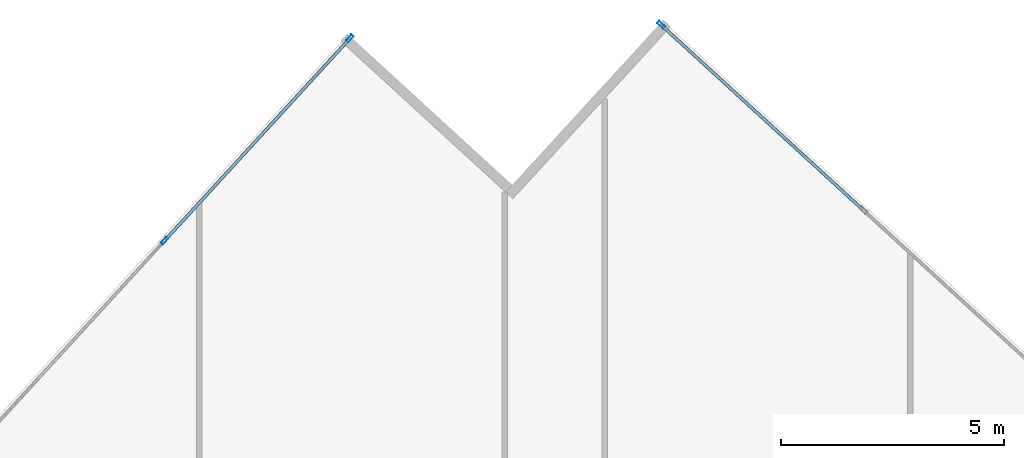
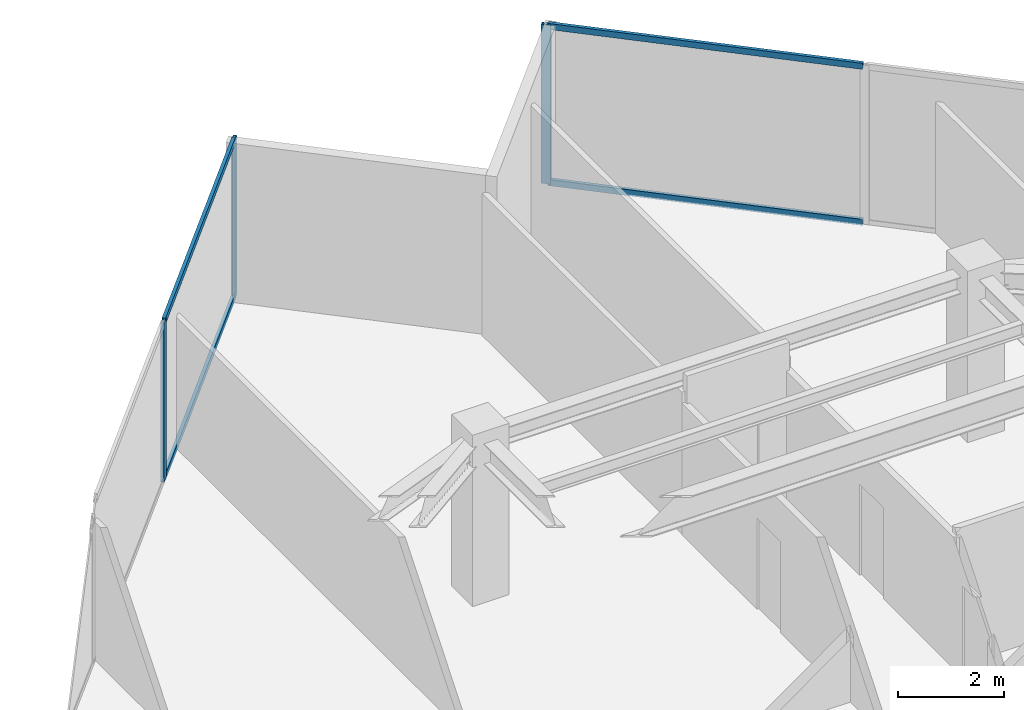
# One storey, part 17 of 26: 7 members, 2 elements without a shape of their own.
"""IFC4 building model written with IfcOpenShell, lengths in metres."""

from ifc_helpers import new_model, si_unit, direction, frame, origin, origin_2d, place, context, subcontext, project, spatial, hollow_rectangle, extrude, source, transform, mapped, material, material_profile, profile_set, type_object, type_shapes, element, aggregate, save


model = new_model("IFC4")

# Units and contexts
model_context = context("Model", 3, precision=1e-05, world=origin(), true_north=direction((0.0, 1.0)))
body_context = subcontext(model_context, "Body", "Model", "MODEL_VIEW")
ifc_project = project(units=[si_unit("LENGTHUNIT", "METRE"), si_unit("AREAUNIT", "SQUARE_METRE"), si_unit("VOLUMEUNIT", "CUBIC_METRE"), si_unit("PLANEANGLEUNIT", "RADIAN"), si_unit("MASSUNIT", "GRAM", prefix="KILO")], contexts=[model_context])

# Site, building, storey
site_placement = place(None, origin())
site = spatial("IfcSite", under=ifc_project, at=site_placement, CompositionType="ELEMENT")
building_placement = place(site_placement, origin())
building = spatial("IfcBuilding", under=site, at=building_placement, Name="Krantzveldt Concourse Tower", CompositionType="ELEMENT")
storey_placement = place(building_placement, frame((0.0, 0.0, 223.10009765625)))
storey = spatial("IfcBuildingStorey", under=building, at=storey_placement, Name="L54", CompositionType="ELEMENT", Elevation=223.10009765625)

# Curtain wall, members
ifc_material = material(Name="Anodised aluminium 6063-T6", Category="aluminium")
curtain_wall_type = type_object("IfcCurtainWallType", Name="CW3", PredefinedType="USERDEFINED", material=ifc_material)
curtain_wall_1_placement = place(storey_placement, origin())
curtain_wall_1 = element("IfcCurtainWall", 1, at=curtain_wall_1_placement, inside=storey, type_object=curtain_wall_type, Name="CW-L54-F01", ObjectType="UNITISED CURTAIN WALL", PredefinedType="USERDEFINED")
ifc_material_profile_1 = material_profile(ifc_material, hollow_rectangle(XDim=0.070068359375, YDim=0.179931640625, WallThickness=0.0048828125, at=origin_2d()), Name="Anodised aluminium 6063-T6", Category="aluminium")
ifc_profile_set_1 = profile_set([ifc_material_profile_1], Name="Anodised aluminium 6063-T6 - ALU-MULL 180x70x5")
member_type_1 = type_object("IfcMemberType", Name="CW-MUL-180", PredefinedType="MULLION", material=ifc_profile_set_1)
shared_shape_1 = source(origin(), body_context, "Body", "SweptSolid", [
    extrude(hollow_rectangle(XDim=0.070068359375, YDim=0.179931640625, WallThickness=0.0048828125, at=origin_2d()), origin(), (0.0, 0.0, 1.0), 3.669921875),
])
type_shapes(member_type_1, [shared_shape_1])
member_1_placement = place(storey_placement, frame((31.400146484375, 51.890869140625, 0.0), z_axis=(0.0, 0.0, 1.0), x_axis=(0.737277477893, -0.675590053651, 0.0)))
member_1 = element("IfcMember", 2, at=member_1_placement, type_object=member_type_1, Name="CW-Z34 mullion 1", PredefinedType="MULLION", context=body_context, shape_type="MappedRepresentation", body=[
    mapped(shared_shape_1, transform((0.0, 0.0, 0.0), x_axis=(1.0, 0.0, 0.0), y_axis=(0.0, 1.0, 0.0), z_axis=(0.0, 0.0, 1.0), scale=1.0)),
])
member_2_placement = place(storey_placement, frame((27.235107421875, 47.345458984375, 0.0), z_axis=(0.0, 0.0, 1.0), x_axis=(0.737277477893, -0.675590053651, 0.0)))
member_2 = element("IfcMember", 3, at=member_2_placement, type_object=member_type_1, Name="CW-Z34 mullion 2", PredefinedType="MULLION", context=body_context, shape_type="MappedRepresentation", body=[
    mapped(shared_shape_1, transform((0.0, 0.0, 0.0), x_axis=(1.0, 0.0, 0.0), y_axis=(0.0, 1.0, 0.0), z_axis=(0.0, 0.0, 1.0), scale=1.0)),
])

# Curtain wall, member
curtain_wall_2_placement = place(storey_placement, origin())
curtain_wall_2 = element("IfcCurtainWall", 4, at=curtain_wall_2_placement, inside=storey, type_object=curtain_wall_type, Name="CW-L54-F14", ObjectType="UNITISED CURTAIN WALL", PredefinedType="USERDEFINED")
member_3_placement = place(storey_placement, frame((38.38671875, 52.19580078125, 0.0), z_axis=(0.0, 0.0, 1.0), x_axis=(-0.675590053651, -0.737277477893, 0.0)))
member_3 = element("IfcMember", 5, at=member_3_placement, type_object=member_type_1, Name="CW-Z34 mullion 6", PredefinedType="MULLION", context=body_context, shape_type="MappedRepresentation", body=[
    mapped(shared_shape_1, transform((0.0, 0.0, 0.0), x_axis=(1.0, 0.0, 0.0), y_axis=(0.0, 1.0, 0.0), z_axis=(0.0, 0.0, 1.0), scale=1.0)),
])

# Member
ifc_material_profile_2 = material_profile(ifc_material, hollow_rectangle(XDim=0.070068359375, YDim=0.139892578125, WallThickness=0.0048828125, at=origin_2d()), Name="Anodised aluminium 6063-T6", Category="aluminium")
ifc_profile_set_2 = profile_set([ifc_material_profile_2], Name="Anodised aluminium 6063-T6 - ALU-TRAN 140x70x5")
member_type_2 = type_object("IfcMemberType", Name="CW-TRN-150", PredefinedType="USERDEFINED", material=ifc_profile_set_2)
shared_shape_2 = source(origin(), body_context, "Body", "SweptSolid", [
    extrude(hollow_rectangle(XDim=0.070068359375, YDim=0.139892578125, WallThickness=0.0048828125, at=origin_2d()), origin(), (0.0, 0.0, 1.0), 6.094970703125),
])
type_shapes(member_type_2, [shared_shape_2])
member_4_placement = place(storey_placement, frame((31.37646484375, 51.864990234375, 0.034912109375), z_axis=(-0.675590390755, -0.737277168993, 0.0), x_axis=(0.737277168993, -0.675590390755, 0.0)))
member_4 = element("IfcMember", 6, at=member_4_placement, type_object=member_type_2, Name="CW-Z34 transom 1.1", ObjectType="TRANSOM", PredefinedType="USERDEFINED", context=body_context, shape_type="MappedRepresentation", body=[
    mapped(shared_shape_2, transform((0.0, 0.0, 0.0), x_axis=(1.0, 0.0, 0.0), y_axis=(0.0, 1.0, 0.0), z_axis=(0.0, 0.0, 1.0), scale=1.0)),
])

member_5_placement = place(storey_placement, frame((31.37646484375, 51.864990234375, 3.635009765625), z_axis=(-0.675590390755, -0.737277168993, 0.0), x_axis=(0.737277168993, -0.675590390755, 0.0)))
member_5 = element("IfcMember", 7, at=member_5_placement, type_object=member_type_2, Name="CW-Z34 transom 1.2", ObjectType="TRANSOM", PredefinedType="USERDEFINED", context=body_context, shape_type="MappedRepresentation", body=[
    mapped(shared_shape_2, transform((0.0, 0.0, 0.0), x_axis=(1.0, 0.0, 0.0), y_axis=(0.0, 1.0, 0.0), z_axis=(0.0, 0.0, 1.0), scale=1.0)),
])

aggregate(curtain_wall_1, [member_1, member_2, member_4, member_5])

member_6_placement = place(storey_placement, frame((42.90625, 48.054443359375, 0.034912109375), z_axis=(-0.737277168993, 0.675590390755, 0.0), x_axis=(-0.675590390755, -0.737277168993, 0.0)))
member_6 = element("IfcMember", 8, at=member_6_placement, type_object=member_type_2, Name="CW-Z34 transom 5.1", ObjectType="TRANSOM", PredefinedType="USERDEFINED", context=body_context, shape_type="MappedRepresentation", body=[
    mapped(shared_shape_2, transform((0.0, 0.0, 0.0), x_axis=(1.0, 0.0, 0.0), y_axis=(0.0, 1.0, 0.0), z_axis=(0.0, 0.0, 1.0), scale=1.0)),
])

member_7_placement = place(storey_placement, frame((42.90625, 48.054443359375, 3.635009765625), z_axis=(-0.737277168993, 0.675590390755, 0.0), x_axis=(-0.675590390755, -0.737277168993, 0.0)))
member_7 = element("IfcMember", 9, at=member_7_placement, type_object=member_type_2, Name="CW-Z34 transom 5.2", ObjectType="TRANSOM", PredefinedType="USERDEFINED", context=body_context, shape_type="MappedRepresentation", body=[
    mapped(shared_shape_2, transform((0.0, 0.0, 0.0), x_axis=(1.0, 0.0, 0.0), y_axis=(0.0, 1.0, 0.0), z_axis=(0.0, 0.0, 1.0), scale=1.0)),
])

aggregate(curtain_wall_2, [member_3, member_6, member_7])

save(model, "model.ifc")
